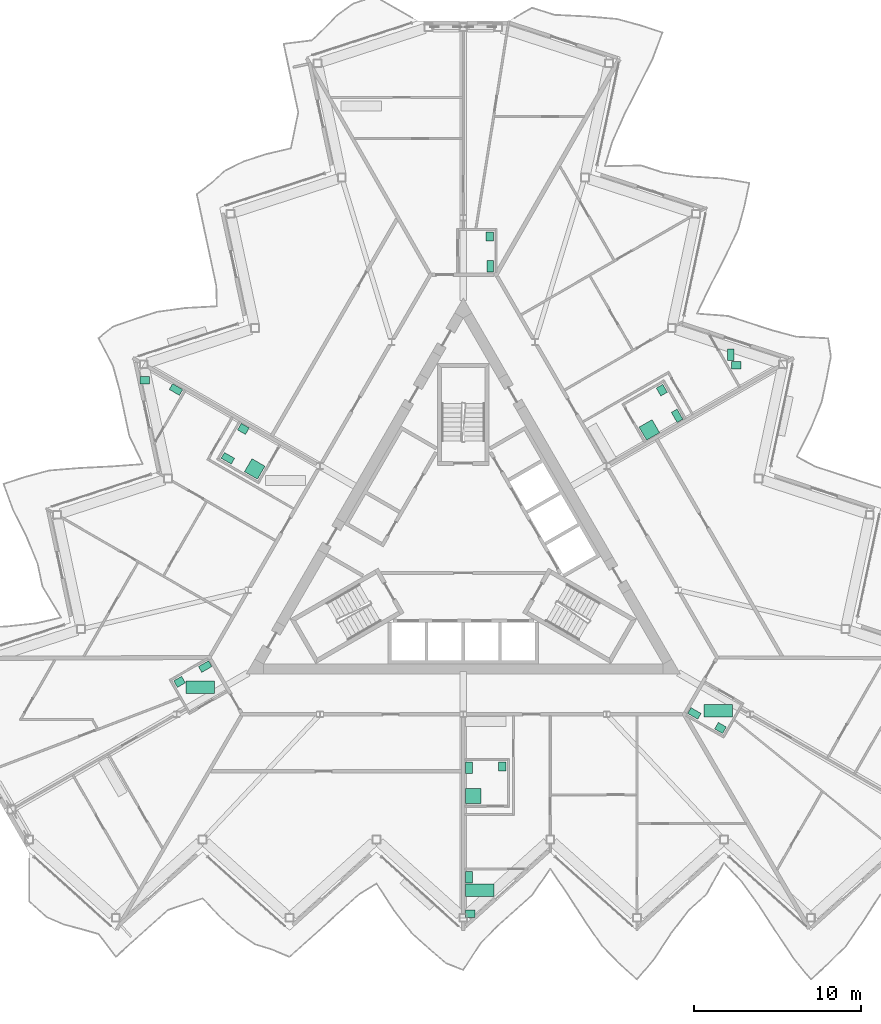
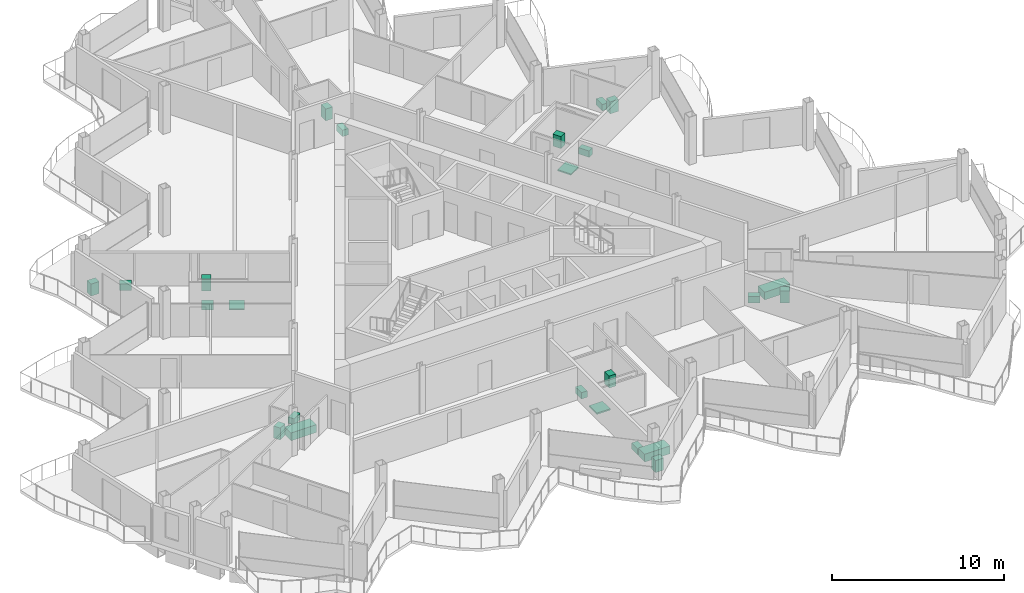
# One storey, part 26 of 27: 24 sanitary terminals.
"""IFC4 building model written with IfcOpenShell, lengths in metres."""

from ifc_helpers import new_model, si_unit, direction, frame, origin, origin_2d, place, context, subcontext, project, spatial, rectangle, extrude, material, type_object, element, save


model = new_model("IFC4")

# Units and contexts
model_context = context("Model", 3, precision=1e-05, world=origin(), true_north=direction((0.0, 1.0)))
body_context = subcontext(model_context, "Body", "Model", "MODEL_VIEW")
ifc_project = project(units=[si_unit("LENGTHUNIT", "METRE"), si_unit("AREAUNIT", "SQUARE_METRE"), si_unit("VOLUMEUNIT", "CUBIC_METRE"), si_unit("PLANEANGLEUNIT", "RADIAN"), si_unit("MASSUNIT", "GRAM", prefix="KILO")], contexts=[model_context])

# Site, building, storey
site_placement = place(None, origin())
site = spatial("IfcSite", under=ifc_project, at=site_placement, CompositionType="ELEMENT")
building_placement = place(site_placement, origin())
building = spatial("IfcBuilding", under=site, at=building_placement, Name="Cormorant Prow Tower", CompositionType="ELEMENT")
storey_placement = place(building_placement, frame((0.0, 0.0, 361.0)))
storey = spatial("IfcBuildingStorey", under=building, at=storey_placement, Name="L80", CompositionType="ELEMENT", Elevation=361.0)

# Sanitary terminals
ifc_material_1 = material(Name="Vitreous china")
sanitary_terminal_type_1 = type_object("IfcSanitaryTerminalType", Name="Bath 1700x750", PredefinedType="BATH", material=ifc_material_1)
for number, where, z_axis, x_axis, name in (
    (1, (0.9951171875, -20.451171875, 0.0), (0.0, 0.0, 1.0), (1.0, 0.0, 0.0), "Bath"),
    (2, (15.260498046875, -9.70068359375, 0.0), (0.0, 0.0, 1.0), (1.0, 0.0, 0.0), "Bath"),
    (3, (-15.75244140625, -8.29248046875, 0.0), (0.0, 0.0, 1.0), (1.0, 0.0, 0.0), "Bath"),
):
    element("IfcSanitaryTerminal", number, at=place(storey_placement, frame(where, z_axis=z_axis, x_axis=x_axis)), inside=storey, type_object=sanitary_terminal_type_1, Name=name, PredefinedType="BATH", context=body_context, shape_type="SweptSolid", body=[
        extrude(rectangle(XDim=1.699951171875, YDim=0.75, at=origin_2d()), origin(), (0.0, 0.0, 1.0), 0.550048828125),
    ])
ifc_material_2 = material(Name="Vitreous china")
sanitary_terminal_type_2 = type_object("IfcSanitaryTerminalType", Name="Shower tray 900x900", PredefinedType="SHOWER", material=ifc_material_2)
for number, where, z_axis, x_axis, name in (
    (4, (0.594970703125, -14.810546875, 0.0), (0.0, 0.0, 1.0), (0.0, 1.0, 0.0), "Shower tray"),
    (5, (11.134521484375, 7.115478515625, 0.0), (0.0, 0.0, 1.0), (-0.5, 0.866025403784, 0.0), "Shower tray"),
    (6, (-12.484619140625, 4.77734375, 0.0), (0.0, 0.0, 1.0), (-0.866025403784, 0.5, 0.0), "Shower tray"),
):
    element("IfcSanitaryTerminal", number, at=place(storey_placement, frame(where, z_axis=z_axis, x_axis=x_axis)), inside=storey, type_object=sanitary_terminal_type_2, Name=name, PredefinedType="SHOWER", context=body_context, shape_type="SweptSolid", body=[
        extrude(rectangle(XDim=0.89990234375, YDim=0.89990234375, at=origin_2d()), origin(), (0.0, 0.0, 1.0), 0.10009765625),
    ])
ifc_material_3 = material(Name="Vitreous china")
sanitary_terminal_type_3 = type_object("IfcSanitaryTerminalType", Name="Wash basin 550x450", PredefinedType="WASHHANDBASIN", material=ifc_material_3)
for number, where, z_axis, x_axis, name in (
    (7, (0.419921875, -21.85107421875, 0.0), (0.0, 0.0, 1.0), (1.0, 0.0, 0.0), "Wash basin"),
    (8, (2.330078125, -13.025634765625, 0.0), (0.0, 0.0, 1.0), (0.0, -1.0, 0.0), "Wash basin"),
    (9, (15.390380859375, -10.72509765625, 0.0), (0.0, 0.0, 1.0), (-0.866025403784, 0.5, 0.0), "Wash basin"),
    (10, (16.337158203125, 10.987060546875, 0.0), (0.0, 0.0, 1.0), (1.0, 0.0, 0.0), "Wash basin"),
    (11, (11.881103515625, 9.4921875, 0.0), (0.0, 0.0, 1.0), (0.5, -0.866025403784, 0.0), "Wash basin"),
    (12, (1.593017578125, 18.691162109375, 0.0), (0.0, 0.0, 1.0), (0.0, -1.0, 0.0), "Wash basin"),
    (13, (-19.0673828125, 10.084228515625, 0.0), (0.0, 0.0, 1.0), (1.0, 0.0, 0.0), "Wash basin"),
    (14, (-13.162841796875, 7.17236328125, 0.0), (0.0, 0.0, 1.0), (0.866025403784, -0.5, 0.0), "Wash basin"),
    (15, (-16.9833984375, -7.966064453125, 0.0), (0.0, 0.0, 1.0), (0.866025403784, 0.5, 0.0), "Wash basin"),
):
    element("IfcSanitaryTerminal", number, at=place(storey_placement, frame(where, z_axis=z_axis, x_axis=x_axis)), inside=storey, type_object=sanitary_terminal_type_3, Name=name, PredefinedType="WASHHANDBASIN", context=body_context, shape_type="SweptSolid", body=[
        extrude(rectangle(XDim=0.550048828125, YDim=0.449951171875, at=origin_2d()), origin(), (0.0, 0.0, 1.0), 0.85009765625),
    ])
ifc_material_4 = material(Name="Vitreous china")
sanitary_terminal_type_4 = type_object("IfcSanitaryTerminalType", Name="Water closet 400x700", PredefinedType="WCSEAT", material=ifc_material_4)
for number, where, z_axis, x_axis, name in (
    (16, (0.344970703125, -19.659423828125, 0.0), (0.0, 0.0, 1.0), (1.0, 0.0, 0.0), "Water closet"),
    (17, (0.344970703125, -13.1005859375, 0.0), (0.0, 0.0, 1.0), (1.0, 0.0, 0.0), "Water closet"),
    (18, (13.83203125, -9.854248046875, 0.0), (0.0, 0.0, 1.0), (0.5, 0.866025403784, 0.0), "Water closet"),
    (19, (16.01220703125, 11.612060546875, 0.0), (0.0, 0.0, 1.0), (1.0, 0.0, 0.0), "Water closet"),
    (20, (12.79541015625, 7.958984375, 0.0), (0.0, 0.0, 1.0), (-0.866025403784, -0.5, 0.0), "Water closet"),
    (21, (1.617919921875, 16.906005859375, 0.0), (0.0, 0.0, 1.0), (-1.0, 0.0, 0.0), "Water closet"),
    (22, (-17.197998046875, 9.531005859375, 0.0), (0.0, 0.0, 1.0), (-0.5, -0.866025403784, 0.0), "Water closet"),
    (23, (-14.09033203125, 5.415771484375, 0.0), (0.0, 0.0, 1.0), (0.5, 0.866025403784, 0.0), "Water closet"),
    (24, (-15.4501953125, -7.0517578125, 0.0), (0.0, 0.0, 1.0), (0.5, -0.866025403784, 0.0), "Water closet"),
):
    element("IfcSanitaryTerminal", number, at=place(storey_placement, frame(where, z_axis=z_axis, x_axis=x_axis)), inside=storey, type_object=sanitary_terminal_type_4, Name=name, PredefinedType="WCSEAT", context=body_context, shape_type="SweptSolid", body=[
        extrude(rectangle(XDim=0.39990234375, YDim=0.699951171875, at=origin_2d()), origin(), (0.0, 0.0, 1.0), 0.449951171875),
    ])

save(model, "model.ifc")
